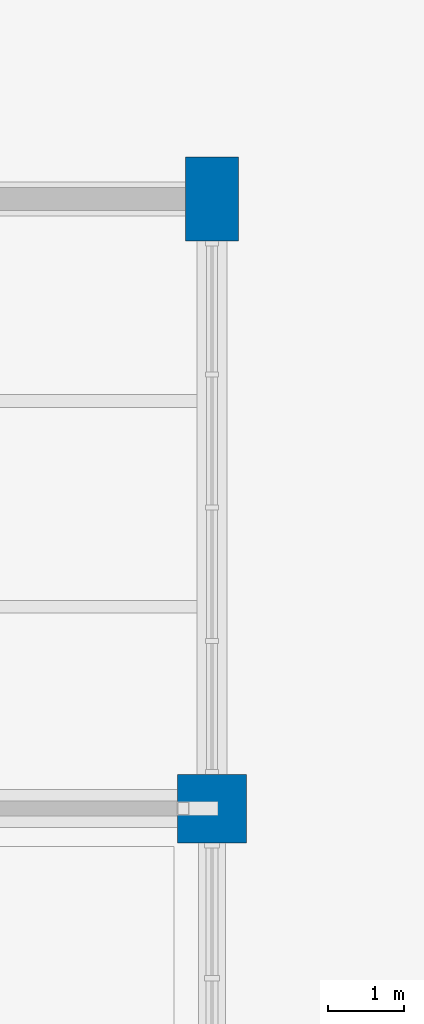
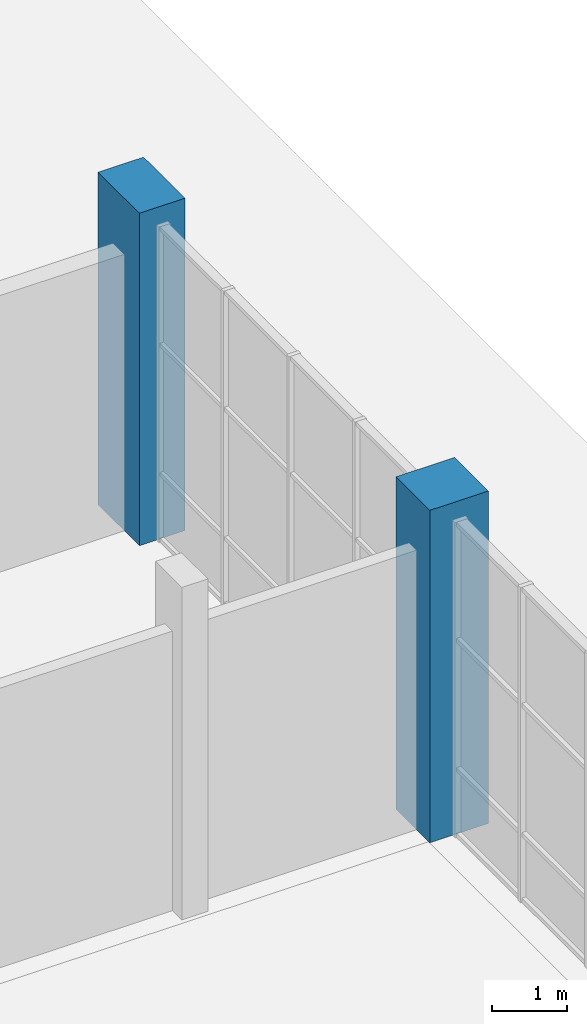
# One storey, part 16 of 123: 2 columns.
"""IFC4 building model written with IfcOpenShell, lengths in metres."""

from ifc_helpers import new_model, si_unit, direction, frame, origin, origin_2d, place, context, subcontext, project, spatial, rectangle, extrude, material, material_profile, profile_set, type_object, element, save


model = new_model("IFC4")

# Units and contexts
model_context = context("Model", 3, precision=1e-05, world=origin(), true_north=direction((0.0, 1.0)))
body_context = subcontext(model_context, "Body", "Model", "MODEL_VIEW")
ifc_project = project(units=[si_unit("LENGTHUNIT", "METRE"), si_unit("AREAUNIT", "SQUARE_METRE"), si_unit("VOLUMEUNIT", "CUBIC_METRE"), si_unit("PLANEANGLEUNIT", "RADIAN"), si_unit("MASSUNIT", "GRAM", prefix="KILO")], contexts=[model_context])

# Site, building, storey
site_placement = place(None, origin())
site = spatial("IfcSite", under=ifc_project, at=site_placement, CompositionType="ELEMENT")
building_placement = place(site_placement, origin())
building = spatial("IfcBuilding", under=site, at=building_placement, Name="Tenunan Teduh Sports Hall", CompositionType="ELEMENT")
storey_placement = place(building_placement, origin())
storey = spatial("IfcBuildingStorey", under=building, at=storey_placement, Name="L00", CompositionType="ELEMENT", Elevation=0.0)

# Columns
ifc_material_1 = material(Name="Concrete C40/50", Category="concrete")
ifc_material_profile_1 = material_profile(ifc_material_1, rectangle(XDim=0.699951171875, YDim=1.10009765625, at=origin_2d()), Name="RC 700x1100")
ifc_profile_set_1 = profile_set([ifc_material_profile_1], Name="Concrete C40/50")
column_type_1 = type_object("IfcColumnType", Name="COL-RC-700x1100", PredefinedType="COLUMN", material=ifc_profile_set_1)
column_1_placement = place(storey_placement, frame((170.0, 46.0, 0.0), z_axis=(0.0, 0.0, 1.0), x_axis=(1.0, 0.0, 0.0)))
element("IfcColumn", 1, at=column_1_placement, inside=storey, type_object=column_type_1, Name="COL-C-15-L00-225", PredefinedType="COLUMN", context=body_context, shape_type="SweptSolid", body=[
    extrude(rectangle(XDim=0.699951171875, YDim=1.10009765625, at=origin_2d()), origin(), (0.0, 0.0, 1.0), 5.39990234375),
])
ifc_material_2 = material(Name="Concrete C40/50", Category="concrete")
ifc_material_profile_2 = material_profile(ifc_material_2, rectangle(XDim=0.89990234375, YDim=0.89990234375, at=origin_2d()), Name="RC 900x900")
ifc_profile_set_2 = profile_set([ifc_material_profile_2], Name="Concrete C40/50")
column_type_2 = type_object("IfcColumnType", Name="COL-RC-900", PredefinedType="COLUMN", material=ifc_profile_set_2)
column_2_placement = place(storey_placement, frame((170.0, 38.0, 0.0), z_axis=(0.0, 0.0, 1.0), x_axis=(1.0, 0.0, 0.0)))
element("IfcColumn", 2, at=column_2_placement, inside=storey, type_object=column_type_2, Name="COL-C-03-L00-224", PredefinedType="COLUMN", context=body_context, shape_type="SweptSolid", body=[
    extrude(rectangle(XDim=0.89990234375, YDim=0.89990234375, at=origin_2d()), origin(), (0.0, 0.0, 1.0), 5.39990234375),
])

save(model, "model.ifc")
